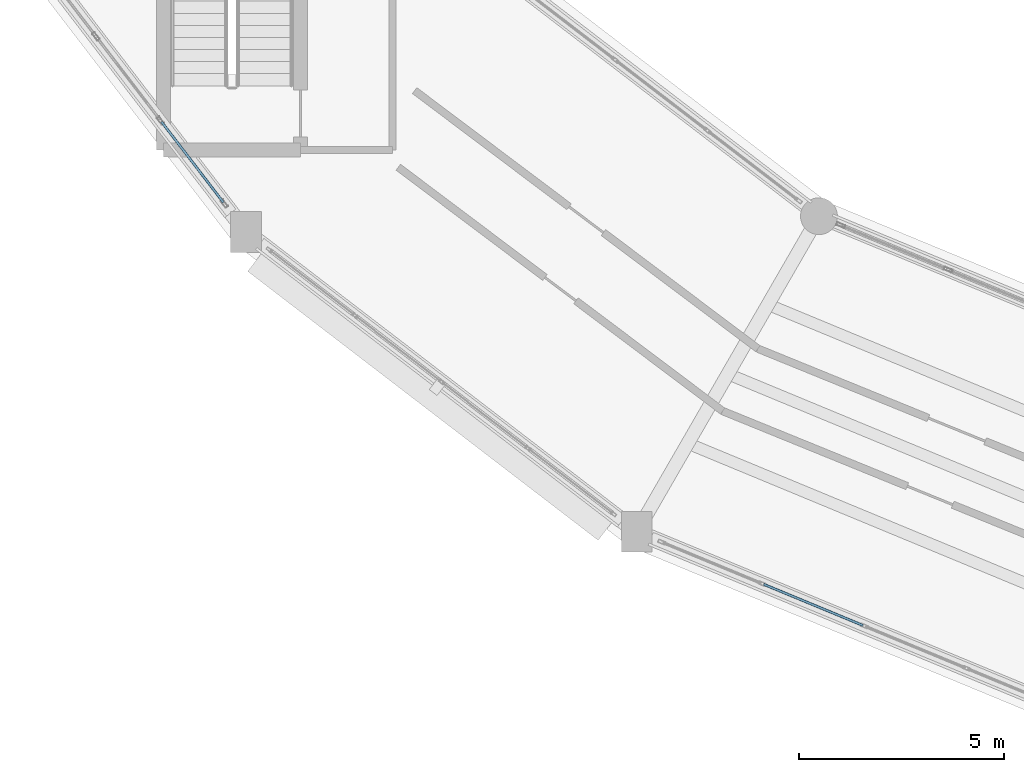
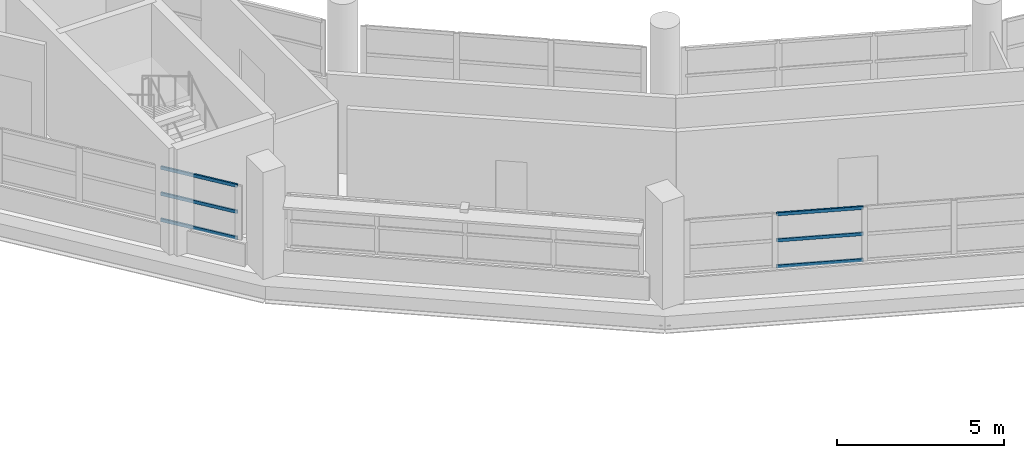
# One storey, part 16 of 108: 6 members, 2 elements without a shape of their own.
"""IFC4 building model written with IfcOpenShell, lengths in metres."""

from ifc_helpers import new_model, si_unit, direction, frame, origin, origin_2d, place, context, subcontext, project, spatial, hollow_rectangle, extrude, material, layer, layer_set, material_profile, profile_set, type_object, element, aggregate, save


model = new_model("IFC4")

# Units and contexts
model_context = context("Model", 3, precision=1e-05, world=origin(), true_north=direction((0.0, 1.0)))
body_context = subcontext(model_context, "Body", "Model", "MODEL_VIEW")
ifc_project = project(units=[si_unit("LENGTHUNIT", "METRE"), si_unit("AREAUNIT", "SQUARE_METRE"), si_unit("VOLUMEUNIT", "CUBIC_METRE"), si_unit("PLANEANGLEUNIT", "RADIAN"), si_unit("MASSUNIT", "GRAM", prefix="KILO")], contexts=[model_context])

# Site, building, storey
site_placement = place(None, origin())
site = spatial("IfcSite", under=ifc_project, at=site_placement, CompositionType="ELEMENT")
building_placement = place(site_placement, origin())
building = spatial("IfcBuilding", under=site, at=building_placement, Name="Vespera Passage Community Centre", CompositionType="ELEMENT")
storey_placement = place(building_placement, frame((0.0, 0.0, 12.60009765625)))
storey = spatial("IfcBuildingStorey", under=building, at=storey_placement, Name="L03", CompositionType="ELEMENT", Elevation=12.60009765625)

# Curtain wall, members
ifc_material_1 = material(Name="Anodized aluminium 6063-T6", Category="aluminium")
ifc_layer_1 = layer(ifc_material_1, 0.159912109375)
ifc_layer_set_1 = layer_set([ifc_layer_1], Name="Anodized aluminium 6063-T6")
curtain_wall_type_1 = type_object("IfcCurtainWallType", Name="CW-50E", PredefinedType="NOTDEFINED", material=ifc_layer_set_1)
curtain_wall_1_placement = place(storey_placement, origin())
curtain_wall_1 = element("IfcCurtainWall", 1, at=curtain_wall_1_placement, inside=storey, type_object=curtain_wall_type_1, Name="V4 L03 Outer Ribbon Curtain Wall 14", PredefinedType="NOTDEFINED")
ifc_material_2 = material(Name="Anodized aluminium 6063-T6", Category="aluminium")
ifc_material_profile = material_profile(ifc_material_2, hollow_rectangle(XDim=0.06005859375, YDim=0.1201171875, WallThickness=0.00390625, InnerFilletRadius=0.001953125, OuterFilletRadius=0.00390625, at=origin_2d()), Name="ALU120X60X4")
ifc_profile_set = profile_set([ifc_material_profile], Name="Anodized aluminium 6063-T6")
member_type = type_object("IfcMemberType", Name="MB-CWT-120E", PredefinedType="USERDEFINED", material=ifc_profile_set)
member_1_placement = place(storey_placement, frame((44.850830078125, 33.62109375, 0.849853515625), z_axis=(-0.608735234275, 0.79337343953, 0.0), x_axis=(-0.79337343953, -0.608735234275, 0.0)))
member_1 = element("IfcMember", 2, at=member_1_placement, type_object=member_type, Name="CW-50E transom 1.1", ObjectType="TRANSOM", PredefinedType="USERDEFINED", context=body_context, shape_type="SweptSolid", body=[
    extrude(hollow_rectangle(XDim=0.06005859375, YDim=0.1201171875, WallThickness=0.00390625, InnerFilletRadius=0.001953125, OuterFilletRadius=0.00390625, at=origin_2d()), origin(), (0.0, 0.0, 1.0), 2.48046875),
])
member_2_placement = place(storey_placement, frame((44.850830078125, 33.62109375, 1.802734375), z_axis=(-0.608735234275, 0.79337343953, 0.0), x_axis=(-0.79337343953, -0.608735234275, 0.0)))
member_2 = element("IfcMember", 3, at=member_2_placement, type_object=member_type, Name="CW-50E transom 1.2", ObjectType="TRANSOM", PredefinedType="USERDEFINED", context=body_context, shape_type="SweptSolid", body=[
    extrude(hollow_rectangle(XDim=0.06005859375, YDim=0.1201171875, WallThickness=0.00390625, InnerFilletRadius=0.001953125, OuterFilletRadius=0.00390625, at=origin_2d()), origin(), (0.0, 0.0, 1.0), 2.48046875),
])
member_3_placement = place(storey_placement, frame((44.850830078125, 33.62109375, 2.755615234375), z_axis=(-0.608735234275, 0.79337343953, 0.0), x_axis=(-0.79337343953, -0.608735234275, 0.0)))
member_3 = element("IfcMember", 4, at=member_3_placement, type_object=member_type, Name="CW-50E transom 1.3", ObjectType="TRANSOM", PredefinedType="USERDEFINED", context=body_context, shape_type="SweptSolid", body=[
    extrude(hollow_rectangle(XDim=0.06005859375, YDim=0.1201171875, WallThickness=0.00390625, InnerFilletRadius=0.001953125, OuterFilletRadius=0.00390625, at=origin_2d()), origin(), (0.0, 0.0, 1.0), 2.48046875),
])
aggregate(curtain_wall_1, [member_1, member_2, member_3])

ifc_material_3 = material(Name="Anodized aluminium 6063-T6", Category="aluminium")
ifc_layer_2 = layer(ifc_material_3, 0.159912109375)
ifc_layer_set_2 = layer_set([ifc_layer_2], Name="Anodized aluminium 6063-T6")
curtain_wall_type_2 = type_object("IfcCurtainWallType", Name="CW-39E", PredefinedType="NOTDEFINED", material=ifc_layer_set_2)
curtain_wall_2_placement = place(storey_placement, origin())
curtain_wall_2 = element("IfcCurtainWall", 5, at=curtain_wall_2_placement, inside=storey, type_object=curtain_wall_type_2, Name="V4 L03 Outer Ribbon Curtain Wall 16", PredefinedType="NOTDEFINED")
member_4_placement = place(storey_placement, frame((60.474609375, 23.287841796875, 0.849853515625), z_axis=(-0.92387617736, 0.382691532316, 0.0), x_axis=(-0.382691532316, -0.92387617736, 0.0)))
member_4 = element("IfcMember", 6, at=member_4_placement, type_object=member_type, Name="CW-39E transom 3.1", ObjectType="TRANSOM", PredefinedType="USERDEFINED", context=body_context, shape_type="SweptSolid", body=[
    extrude(hollow_rectangle(XDim=0.06005859375, YDim=0.1201171875, WallThickness=0.00390625, InnerFilletRadius=0.001953125, OuterFilletRadius=0.00390625, at=origin_2d()), origin(), (0.0, 0.0, 1.0), 2.623291015625),
])
member_5_placement = place(storey_placement, frame((60.474609375, 23.287841796875, 1.802734375), z_axis=(-0.92387617736, 0.382691532316, 0.0), x_axis=(-0.382691532316, -0.92387617736, 0.0)))
member_5 = element("IfcMember", 7, at=member_5_placement, type_object=member_type, Name="CW-39E transom 3.2", ObjectType="TRANSOM", PredefinedType="USERDEFINED", context=body_context, shape_type="SweptSolid", body=[
    extrude(hollow_rectangle(XDim=0.06005859375, YDim=0.1201171875, WallThickness=0.00390625, InnerFilletRadius=0.001953125, OuterFilletRadius=0.00390625, at=origin_2d()), origin(), (0.0, 0.0, 1.0), 2.623291015625),
])
member_6_placement = place(storey_placement, frame((60.474609375, 23.287841796875, 2.755615234375), z_axis=(-0.92387617736, 0.382691532316, 0.0), x_axis=(-0.382691532316, -0.92387617736, 0.0)))
member_6 = element("IfcMember", 8, at=member_6_placement, type_object=member_type, Name="CW-39E transom 3.3", ObjectType="TRANSOM", PredefinedType="USERDEFINED", context=body_context, shape_type="SweptSolid", body=[
    extrude(hollow_rectangle(XDim=0.06005859375, YDim=0.1201171875, WallThickness=0.00390625, InnerFilletRadius=0.001953125, OuterFilletRadius=0.00390625, at=origin_2d()), origin(), (0.0, 0.0, 1.0), 2.623291015625),
])
aggregate(curtain_wall_2, [member_4, member_5, member_6])

save(model, "model.ifc")
